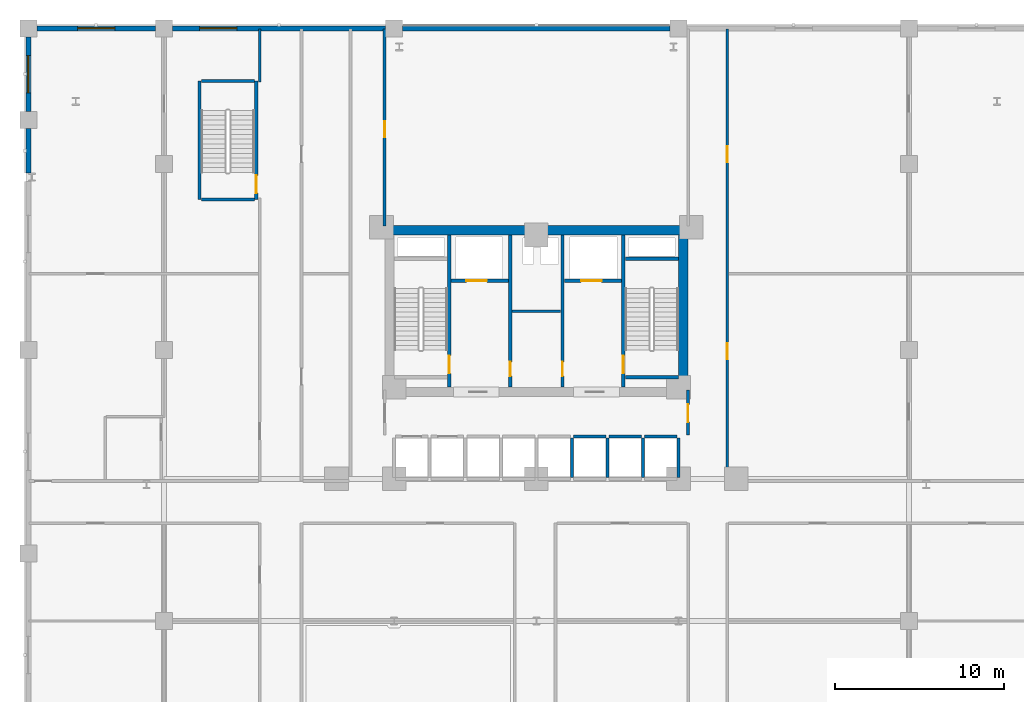
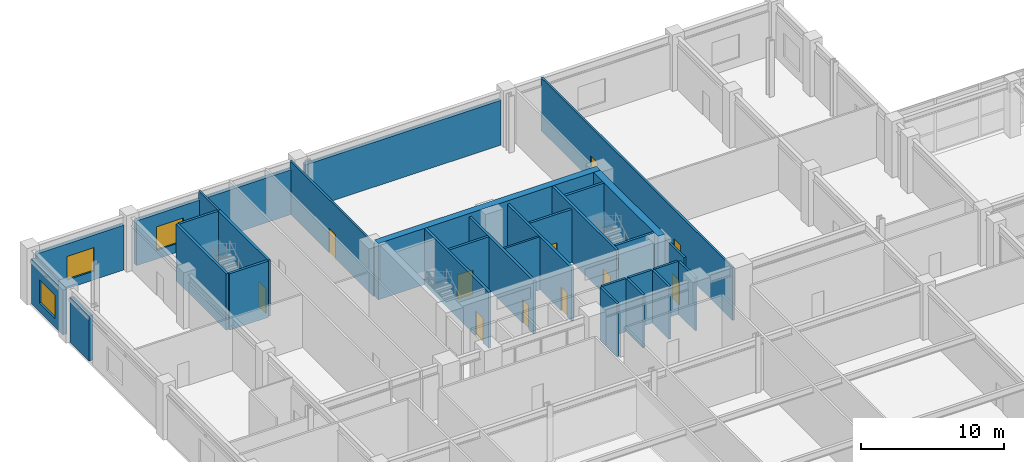
# One storey, part 34 of 48: 31 walls, 11 doors, 3 windows, 14 openings.
"""IFC4 building model written with IfcOpenShell, lengths in metres."""

import ifcopenshell
import ifcopenshell.guid

model = None  # the IFC model being written
_history = None  # IfcOwnerHistory: only IFC2X3 demands one
_inside = {}  # id of a spatial element -> (the spatial element, [elements in it])
_under = {}  # id of a project, library or spatial element -> (it, [spatial elements below it])
_declared = {}  # id of a project -> (the project, [libraries it declares])
_typed = {}  # id of a type object -> (the type object, [elements of that type])
_made_of = {}  # id of a material, layer set ... -> (it, [elements and type objects made of it])


def new_model(schema):
    """Start an empty IFC model of exactly this schema.

    Asked for "IFC4X3", IfcOpenShell would pick the latest addendum, in which some entities
    have other attributes; the version numbers below select the first issue.
    IFC2X3 requires an IfcOwnerHistory on every rooted entity: one is made here for all.
    """
    global model, _history
    if schema == "IFC4X3":
        model = ifcopenshell.file(schema_version=(4, 3, 0, 0))
    else:
        model = ifcopenshell.file(schema=schema)
    _inside.clear()
    _under.clear()
    _declared.clear()
    _typed.clear()
    _made_of.clear()
    _history = None
    if model.schema == "IFC2X3":
        org = make("IfcOrganization", Name="unknown")
        user = make(
            "IfcPersonAndOrganization",
            ThePerson=make("IfcPerson", FamilyName="unknown"),
            TheOrganization=org,
        )
        app = make(
            "IfcApplication",
            ApplicationDeveloper=org,
            Version="unknown",
            ApplicationFullName="unknown",
            ApplicationIdentifier="unknown",
        )
        _history = make(
            "IfcOwnerHistory",
            OwningUser=user,
            OwningApplication=app,
            ChangeAction="ADDED",
            CreationDate=0,
        )
    return model


def make(cls, **values):
    """One entity of the class cls with the attributes given. An attribute that is None is left unset."""
    return model.create_entity(
        cls, **{name: value for name, value in values.items() if value is not None}
    )


def rooted(cls, **values):
    """An entity with a GlobalId (a new one), such as an element, a storey or a relation."""
    return make(cls, GlobalId=ifcopenshell.guid.new(), OwnerHistory=_history, **values)


def si_unit(unit_type, name, prefix=None):
    """IfcSIUnit, for example si_unit("LENGTHUNIT", "METRE", prefix="MILLI")."""
    return make("IfcSIUnit", UnitType=unit_type, Prefix=prefix, Name=name)


def derived_unit(unit_type, elements):
    """IfcDerivedUnit: a product of units, each with its exponent."""
    return make(
        "IfcDerivedUnit",
        Elements=[
            make("IfcDerivedUnitElement", Unit=unit, Exponent=power)
            for unit, power in elements
        ],
        UnitType=unit_type,
    )


def assignment(units):
    """IfcUnitAssignment: the units of a project."""
    return None if units is None else make("IfcUnitAssignment", Units=units)


def point(xyz):
    """IfcCartesianPoint."""
    return None if xyz is None else make("IfcCartesianPoint", Coordinates=xyz)


def direction(xyz):
    """IfcDirection."""
    return None if xyz is None else make("IfcDirection", DirectionRatios=xyz)


def frame(location, z_axis=None, x_axis=None):
    """IfcAxis2Placement3D, a coordinate frame: its origin and axes. An axis left out is left unset."""
    return make(
        "IfcAxis2Placement3D",
        Location=point(location),
        Axis=direction(z_axis),
        RefDirection=direction(x_axis),
    )


def frame_2d(location, x_axis=None):
    """IfcAxis2Placement2D, a coordinate frame in the plane: its origin and x axis."""
    return make(
        "IfcAxis2Placement2D", Location=point(location), RefDirection=direction(x_axis)
    )


def origin():
    """The frame at (0, 0, 0) with its axes left unset."""
    return frame((0.0, 0.0, 0.0))


def place(relative_to, where):
    """IfcLocalPlacement: puts the frame where relative to a parent placement (None: the world)."""
    return make(
        "IfcLocalPlacement", PlacementRelTo=relative_to, RelativePlacement=where
    )


def context(
    kind, dimensions, precision=None, world=None, true_north=None, identifier=None
):
    """IfcGeometricRepresentationContext, for example the 3D "Model" context."""
    return make(
        "IfcGeometricRepresentationContext",
        ContextIdentifier=identifier,
        ContextType=kind,
        CoordinateSpaceDimension=dimensions,
        Precision=precision,
        WorldCoordinateSystem=world,
        TrueNorth=true_north,
    )


def subcontext(parent, identifier, kind, view, scale=None):
    """IfcGeometricRepresentationSubContext, for example "Body" below "Model"."""
    return make(
        "IfcGeometricRepresentationSubContext",
        ContextIdentifier=identifier,
        ContextType=kind,
        ParentContext=parent,
        TargetScale=scale,
        TargetView=view,
    )


def project(units=None, contexts=None):
    """IfcProject with its units and contexts."""
    return rooted(
        "IfcProject",
        Name="project",
        RepresentationContexts=contexts,
        UnitsInContext=assignment(units),
    )


def spatial(cls, under=None, at=None, **own):
    """A site, building, storey or space (cls), placed at a placement, below another one or the project."""
    s = rooted(cls, ObjectPlacement=at, **own)
    if under is not None:
        _under.setdefault(under.id(), (under, []))[1].append(s)
    return s


def profile(cls, at=None, kind="AREA", **sizes):
    """A parametric profile (cls). Its sizes go by their IFC names, for example OverallWidth=200.0."""
    return make(cls, ProfileType=kind, Position=at, **sizes)


def rectangle(**sizes):
    """IfcRectangleProfileDef."""
    return profile("IfcRectangleProfileDef", **sizes)


def extrude(swept, where, along, depth):
    """IfcExtrudedAreaSolid: the profile swept, set in the frame where, extruded along a direction by depth."""
    return make(
        "IfcExtrudedAreaSolid",
        SweptArea=swept,
        Position=where,
        ExtrudedDirection=direction(along),
        Depth=depth,
    )


def shape(context_of_items, identifier, shape_type, items):
    """IfcShapeRepresentation: the items that make up one representation, for example the "Body"."""
    return make(
        "IfcShapeRepresentation",
        ContextOfItems=context_of_items,
        RepresentationIdentifier=identifier,
        RepresentationType=shape_type,
        Items=items,
    )


def material(Name=None, Category=None):
    """IfcMaterial."""
    return make("IfcMaterial", Name=Name, Category=Category)


def layer(
    of_material, thickness, ventilated=None, Name=None, Category=None, Priority=None
):
    """IfcMaterialLayer: one layer of a wall or slab, of a material (None: an air gap)."""
    return make(
        "IfcMaterialLayer",
        Material=of_material,
        LayerThickness=thickness,
        IsVentilated=ventilated,
        Name=Name,
        Category=Category,
        Priority=Priority,
    )


def layer_set(layers, Name=None):
    """IfcMaterialLayerSet."""
    return make("IfcMaterialLayerSet", MaterialLayers=layers, LayerSetName=Name)


def made_of(thing, what):
    """Note that an element or type object is made of a material, layer set ...; save() writes the relation."""
    if what is not None:
        _made_of.setdefault(what.id(), (what, []))[1].append(thing)
    return thing


def type_object(cls, material=None, **own):
    """A type object (cls), such as IfcWallType, which elements share."""
    return made_of(rooted(cls, **own), material)


def element(
    cls,
    number,
    at=None,
    inside=None,
    cuts=None,
    type_object=None,
    material=None,
    context=None,
    identifier="Body",
    shape_type=None,
    held_by="IfcProductDefinitionShape",
    body=None,
    shapes=None,
    **own,
):
    """One element of the class cls, such as IfcWall. Its Tag is "e" and its number.

    at: its placement. inside: the storey or other place that contains it. cuts: it is an
    opening in that element (IfcRelVoidsElement). A single representation is given by context,
    identifier, shape_type and body (its items); several are given by shapes. held_by: the class
    of the entity that holds the representations. save() writes the other relations.
    """
    e = rooted(cls, Tag="e%d" % number, ObjectPlacement=at, **own)
    if body is not None:
        shapes = [shape(context, identifier, shape_type, body)]
    if shapes is not None:
        e.Representation = make(held_by, Representations=shapes)
    if inside is not None:
        _inside.setdefault(inside.id(), (inside, []))[1].append(e)
    if cuts is not None:
        rooted(
            "IfcRelVoidsElement", RelatingBuildingElement=cuts, RelatedOpeningElement=e
        )
    if type_object is not None:
        _typed.setdefault(type_object.id(), (type_object, []))[1].append(e)
    return made_of(e, material)


def fill(opening, filler):
    """IfcRelFillsElement: the door or window that sits in an opening."""
    return rooted(
        "IfcRelFillsElement",
        RelatingOpeningElement=opening,
        RelatedBuildingElement=filler,
    )


def aggregate(whole, parts):
    """IfcRelAggregates: a whole, such as a stair, and the parts it consists of."""
    return rooted("IfcRelAggregates", RelatingObject=whole, RelatedObjects=parts)


def save(model, path):
    """Write the relations noted so far, then the file.

    IfcRelAggregates (storeys below a building ...), IfcRelContainedInSpatialStructure (elements
    in a storey), IfcRelDefinesByType, IfcRelAssociatesMaterial and IfcRelDeclares: one each for
    every whole, place, type object, material and project.
    """
    for whole, parts in _under.values():
        aggregate(whole, parts)
    for where, things in _inside.values():
        rooted(
            "IfcRelContainedInSpatialStructure",
            RelatedElements=things,
            RelatingStructure=where,
        )
    for kind, things in _typed.values():
        rooted("IfcRelDefinesByType", RelatedObjects=things, RelatingType=kind)
    for what, things in _made_of.values():
        rooted("IfcRelAssociatesMaterial", RelatedObjects=things, RelatingMaterial=what)
    for by, libraries in _declared.values():
        rooted("IfcRelDeclares", RelatingContext=by, RelatedDefinitions=libraries)
    model.write(path)


model = new_model("IFC4")

# Units and contexts
model_context = context("Model", 3, precision=1e-05, world=origin(), true_north=direction((0.0, 1.0)))
body_context = subcontext(model_context, "Body", "Model", "MODEL_VIEW")
ifc_project = project(units=[si_unit("LENGTHUNIT", "METRE"), si_unit("AREAUNIT", "SQUARE_METRE"), si_unit("VOLUMEUNIT", "CUBIC_METRE"), si_unit("PLANEANGLEUNIT", "RADIAN"), si_unit("MASSUNIT", "GRAM", prefix="KILO"), derived_unit("THERMALTRANSMITTANCEUNIT", [(si_unit("POWERUNIT", "WATT"), 1), (si_unit("LENGTHUNIT", "METRE"), -2), (si_unit("THERMODYNAMICTEMPERATUREUNIT", "KELVIN"), -1)])], contexts=[model_context])

# Site, building, storey
site_placement = place(None, origin())
site = spatial("IfcSite", under=ifc_project, at=site_placement, CompositionType="ELEMENT")
building_placement = place(site_placement, origin())
building = spatial("IfcBuilding", under=site, at=building_placement, Name="Korsvarv Bourse and Concert Hall", CompositionType="ELEMENT")
storey_placement = place(building_placement, frame((0.0, 0.0, 4.800048828125)))
storey = spatial("IfcBuildingStorey", under=building, at=storey_placement, Name="L01", CompositionType="ELEMENT", Elevation=4.800048828125)

# Wall, opening, door
ifc_material_1 = material(Name="Concrete C50/60", Category="concrete")
ifc_layer_1 = layer(ifc_material_1, 0.3798828125)
ifc_layer_set_1 = layer_set([ifc_layer_1], Name="Concrete C50/60")
wall_type_1 = type_object("IfcWallType", Name="WL-CORE-380", PredefinedType="SHEAR", material=ifc_layer_set_1)
wall_1_placement = place(storey_placement, frame((30.860107421875, 37.81005859375, 0.0), z_axis=(0.0, 0.0, 1.0), x_axis=(0.0, 1.0, 0.0)))
wall_1 = element("IfcWall", 1, at=wall_1_placement, inside=storey, type_object=wall_type_1, Name="L01 stair shaft structural wall W-L01-ST1-E", PredefinedType="SHEAR", context=body_context, shape_type="SweptSolid", body=[
    extrude(rectangle(XDim=8.97998046875, YDim=0.199951171875, at=frame_2d((4.489990234375, 0.0))), origin(), (0.0, 0.0, 1.0), 4.800048828125),
])
opening_1_placement = place(wall_1_placement, frame((0.820068359375, 0.0, 0.0)))
opening_1 = element("IfcOpeningElement", 2, at=opening_1_placement, cuts=wall_1, Name="Opening D-01", PredefinedType="OPENING", context=body_context, shape_type="SweptSolid", body=[
    extrude(rectangle(XDim=1.050048828125, YDim=2.10009765625, at=frame_2d((0.52490234375, 1.050048828125))), frame((0.0, 0.10986328125, 0.0), z_axis=(0.0, -1.0, 0.0), x_axis=(1.0, 0.0, 0.0)), (0.0, 0.0, 1.0), 0.219970703125),
])
ifc_material_2 = material(Name="Steel S355 fire door", Category="steel")
door_type_1 = type_object("IfcDoorType", Name="DR-FD60", OperationType="NOTDEFINED", PredefinedType="DOOR", material=ifc_material_2)
door_1_placement = place(opening_1_placement, origin())
door_1 = element("IfcDoor", 3, at=door_1_placement, inside=storey, type_object=door_type_1, Name="L01 interior door DR-L01-ST1", OperationType="SINGLE_SWING_LEFT", OverallHeight=2.10009765625, OverallWidth=1.050048828125, PredefinedType="DOOR", context=body_context, shape_type="SweptSolid", body=[
    extrude(rectangle(XDim=1.050048828125, YDim=2.10009765625, at=frame_2d((0.52490234375, 1.050048828125))), frame((0.0, 0.02490234375, 0.0), z_axis=(0.0, -1.0, 0.0), x_axis=(1.0, 0.0, 0.0)), (0.0, 0.0, 1.0), 0.050048828125),
])
fill(opening_1, door_1)

wall_2_placement = place(storey_placement, frame((41.139892578125, 37.81005859375, 0.0), z_axis=(0.0, 0.0, 1.0), x_axis=(0.0, 1.0, 0.0)))
wall_2 = element("IfcWall", 4, at=wall_2_placement, inside=storey, type_object=wall_type_1, Name="L01 stair shaft structural wall W-L01-ST2-W", PredefinedType="SHEAR", context=body_context, shape_type="SweptSolid", body=[
    extrude(rectangle(XDim=8.97998046875, YDim=0.199951171875, at=frame_2d((4.489990234375, 0.0))), origin(), (0.0, 0.0, 1.0), 4.800048828125),
])
opening_2_placement = place(wall_2_placement, frame((0.820068359375, 0.0, 0.0)))
opening_2 = element("IfcOpeningElement", 5, at=opening_2_placement, cuts=wall_2, Name="Opening D-01", PredefinedType="OPENING", context=body_context, shape_type="SweptSolid", body=[
    extrude(rectangle(XDim=1.050048828125, YDim=2.10009765625, at=frame_2d((0.52490234375, 1.050048828125))), frame((0.0, 0.10986328125, 0.0), z_axis=(0.0, -1.0, 0.0), x_axis=(1.0, 0.0, 0.0)), (0.0, 0.0, 1.0), 0.219970703125),
])
door_2_placement = place(opening_2_placement, frame((1.050048828125, 0.0, 0.0), z_axis=(0.0, 0.0, 1.0), x_axis=(-1.0, 0.0, 0.0)))
door_2 = element("IfcDoor", 6, at=door_2_placement, inside=storey, type_object=door_type_1, Name="L01 interior door DR-L01-ST2", OperationType="SINGLE_SWING_RIGHT", OverallHeight=2.10009765625, OverallWidth=1.050048828125, PredefinedType="DOOR", context=body_context, shape_type="SweptSolid", body=[
    extrude(rectangle(XDim=1.050048828125, YDim=2.10009765625, at=frame_2d((0.52490234375, 1.050048828125))), frame((0.0, 0.02490234375, 0.0), z_axis=(0.0, -1.0, 0.0), x_axis=(1.0, 0.0, 0.0)), (0.0, 0.0, 1.0), 0.050048828125),
])
fill(opening_2, door_2)

# Walls
for number, where, z_axis, x_axis, name in (
    (7, (41.25, 45.39990234375, 0.0), (0.0, 0.0, 1.0), (1.0, 0.0, 0.0), "L01 stair shaft structural wall W-L01-ST2-N"),
    (8, (41.25, 38.39990234375, 0.0), (0.0, 0.0, 1.0), (1.0, 0.0, 0.0), "L01 stair shaft structural wall W-L01-ST2-S"),
):
    element("IfcWall", number, at=place(storey_placement, frame(where, z_axis=z_axis, x_axis=x_axis)), inside=storey, type_object=wall_type_1, Name=name, PredefinedType="SHEAR", context=body_context, shape_type="SweptSolid", body=[
        extrude(rectangle(XDim=3.139892578125, YDim=0.199951171875, at=frame_2d((1.56982421875, 0.0))), origin(), (0.0, 0.0, 1.0), 4.800048828125),
    ])

# Wall, opening, door
wall_3_placement = place(storey_placement, frame((19.4599609375, 48.89990234375, 0.0), z_axis=(0.0, 0.0, 1.0), x_axis=(0.0, 1.0, 0.0)))
wall_3 = element("IfcWall", 9, at=wall_3_placement, inside=storey, type_object=wall_type_1, Name="L01 stair shaft structural wall W-L01-STPD-E", PredefinedType="SHEAR", context=body_context, shape_type="SweptSolid", body=[
    extrude(rectangle(XDim=7.0, YDim=0.199951171875, at=frame_2d((3.5, 0.0))), origin(), (0.0, 0.0, 1.0), 4.800048828125),
])
opening_3_placement = place(wall_3_placement, frame((0.3798828125, 0.0, 0.0)))
opening_3 = element("IfcOpeningElement", 10, at=opening_3_placement, cuts=wall_3, Name="Opening D-01", PredefinedType="OPENING", context=body_context, shape_type="SweptSolid", body=[
    extrude(rectangle(XDim=1.050048828125, YDim=2.10009765625, at=frame_2d((0.52490234375, 1.050048828125))), frame((0.0, 0.10986328125, 0.0), z_axis=(0.0, -1.0, 0.0), x_axis=(1.0, 0.0, 0.0)), (0.0, 0.0, 1.0), 0.219970703125),
])
door_3_placement = place(opening_3_placement, origin())
door_3 = element("IfcDoor", 11, at=door_3_placement, inside=storey, type_object=door_type_1, Name="L01 interior door DR-L01-STPD1", OperationType="SINGLE_SWING_RIGHT", OverallHeight=2.10009765625, OverallWidth=1.050048828125, PredefinedType="DOOR", context=body_context, shape_type="SweptSolid", body=[
    extrude(rectangle(XDim=1.050048828125, YDim=2.10009765625, at=frame_2d((0.52490234375, 1.050048828125))), frame((0.0, 0.02490234375, 0.0), z_axis=(0.0, -1.0, 0.0), x_axis=(1.0, 0.0, 0.0)), (0.0, 0.0, 1.0), 0.050048828125),
])
fill(opening_3, door_3)

# Walls
wall_4_placement = place(storey_placement, frame((16.10009765625, 48.89990234375, 0.0), z_axis=(0.0, 0.0, 1.0), x_axis=(0.0, 1.0, 0.0)))
element("IfcWall", 12, at=wall_4_placement, inside=storey, type_object=wall_type_1, Name="L01 stair shaft structural wall W-L01-STPD-W", PredefinedType="SHEAR", context=body_context, shape_type="SweptSolid", body=[
    extrude(rectangle(XDim=7.0, YDim=0.199951171875, at=frame_2d((3.5, 0.0))), origin(), (0.0, 0.0, 1.0), 4.800048828125),
])
for number, where, z_axis, x_axis, name in (
    (13, (16.2099609375, 55.89990234375, 0.0), (0.0, 0.0, 1.0), (1.0, 0.0, 0.0), "L01 stair shaft structural wall W-L01-STPD-N"),
    (14, (16.2099609375, 48.89990234375, 0.0), (0.0, 0.0, 1.0), (1.0, 0.0, 0.0), "L01 stair shaft structural wall W-L01-STPD-S"),
):
    element("IfcWall", number, at=place(storey_placement, frame(where, z_axis=z_axis, x_axis=x_axis)), inside=storey, type_object=wall_type_1, Name=name, PredefinedType="SHEAR", context=body_context, shape_type="SweptSolid", body=[
        extrude(rectangle(XDim=3.14013671875, YDim=0.199951171875, at=frame_2d((1.570068359375, 0.0))), origin(), (0.0, 0.0, 1.0), 4.800048828125),
    ])
ifc_material_3 = material(Name="Concrete C60/75", Category="concrete")
ifc_layer_2 = layer(ifc_material_3, 0.550048828125)
ifc_layer_set_2 = layer_set([ifc_layer_2], Name="Concrete C60/75")
wall_type_2 = type_object("IfcWallType", Name="WL-CORE-550", PredefinedType="SHEAR", material=ifc_layer_set_2)
wall_5_placement = place(storey_placement, frame((27.050048828125, 47.074951171875, 0.0), z_axis=(0.0, 0.0, 1.0), x_axis=(1.0, 0.0, 0.0)))
element("IfcWall", 15, at=wall_5_placement, inside=storey, type_object=wall_type_2, Name="L01 North Core Shear Wall", PredefinedType="SHEAR", context=body_context, shape_type="SweptSolid", body=[
    extrude(rectangle(XDim=17.89990234375, YDim=0.550048828125, at=frame_2d((8.949951171875, 0.0))), origin(), (0.0, 0.0, 1.0), 4.800048828125),
])
wall_6_placement = place(storey_placement, frame((44.675048828125, 37.800048828125, 0.0), z_axis=(0.0, 0.0, 1.0), x_axis=(0.0, 1.0, 0.0)))
element("IfcWall", 16, at=wall_6_placement, inside=storey, type_object=wall_type_2, Name="L01 East Core Shear Wall", PredefinedType="SHEAR", context=body_context, shape_type="SweptSolid", body=[
    extrude(rectangle(XDim=9.0, YDim=0.550048828125, at=frame_2d((4.5, 0.0))), origin(), (0.0, 0.0, 1.0), 4.800048828125),
])

# Wall, opening, window
ifc_material_4 = material(Name="Precast concrete C45/55 with granite and terracotta", Category="concrete")
ifc_layer_3 = layer(ifc_material_4, 0.320068359375)
ifc_layer_set_3 = layer_set([ifc_layer_3], Name="Precast concrete C45/55 with granite and terracotta")
wall_type_3 = type_object("IfcWallType", Name="WL-EXT-POD", PredefinedType="SOLIDWALL", material=ifc_layer_set_3)
wall_7_placement = place(storey_placement, frame((6.5048828125, 59.0, 0.0), z_axis=(0.0, 0.0, 1.0), x_axis=(1.0, 0.0, 0.0)))
wall_7 = element("IfcWall", 17, at=wall_7_placement, inside=storey, type_object=wall_type_3, Name="L01 terracotta exterior wall EW-L01-N1", PredefinedType="SOLIDWALL", context=body_context, shape_type="SweptSolid", body=[
    extrude(rectangle(XDim=6.990234375, YDim=0.320068359375, at=frame_2d((3.4951171875, 0.0))), origin(), (0.0, 0.0, 1.0), 3.820068359375),
])
opening_4_placement = place(wall_7_placement, frame((2.39501953125, 0.0, 0.75)))
opening_4 = element("IfcOpeningElement", 18, at=opening_4_placement, cuts=wall_7, Name="Opening W-03", PredefinedType="OPENING", context=body_context, shape_type="SweptSolid", body=[
    extrude(rectangle(XDim=2.199951171875, YDim=2.0, at=frame_2d((1.10009765625, 1.0))), frame((0.0, 0.169921875, 0.0), z_axis=(0.0, -1.0, 0.0), x_axis=(1.0, 0.0, 0.0)), (0.0, 0.0, 1.0), 0.340087890625),
])
ifc_material_5 = material(Name="Thermally broken aluminium frame with triple low-E glass", Category="glass")
window_type = type_object("IfcWindowType", Name="WIN-POD1", PartitioningType="SINGLE_PANEL", PredefinedType="WINDOW", material=ifc_material_5)
window_1_placement = place(opening_4_placement, origin())
window_1 = element("IfcWindow", 19, at=window_1_placement, inside=storey, type_object=window_type, Name="L01 punched facade window W-03", OverallHeight=2.0, OverallWidth=2.199951171875, PartitioningType="SINGLE_PANEL", PredefinedType="WINDOW", context=body_context, shape_type="SweptSolid", body=[
    extrude(rectangle(XDim=2.199951171875, YDim=2.0, at=frame_2d((1.10009765625, 1.0))), frame((0.0, 0.030029296875, 0.0), z_axis=(0.0, -1.0, 0.0), x_axis=(1.0, 0.0, 0.0)), (0.0, 0.0, 1.0), 0.06005859375),
])
fill(opening_4, window_1)

wall_8_placement = place(storey_placement, frame((14.5048828125, 59.0, 0.0), z_axis=(0.0, 0.0, 1.0), x_axis=(1.0, 0.0, 0.0)))
wall_8 = element("IfcWall", 20, at=wall_8_placement, inside=storey, type_object=wall_type_3, Name="L01 terracotta exterior wall EW-L01-N2", PredefinedType="SOLIDWALL", context=body_context, shape_type="SweptSolid", body=[
    extrude(rectangle(XDim=12.590087890625, YDim=0.320068359375, at=frame_2d((6.294921875, 0.0))), origin(), (0.0, 0.0, 1.0), 3.820068359375),
])
opening_5_placement = place(wall_8_placement, frame((1.5986328125, 0.0, 0.75)))
opening_5 = element("IfcOpeningElement", 21, at=opening_5_placement, cuts=wall_8, Name="Opening W-03", PredefinedType="OPENING", context=body_context, shape_type="SweptSolid", body=[
    extrude(rectangle(XDim=2.199951171875, YDim=2.0, at=frame_2d((1.10009765625, 1.0))), frame((0.0, 0.169921875, 0.0), z_axis=(0.0, -1.0, 0.0), x_axis=(1.0, 0.0, 0.0)), (0.0, 0.0, 1.0), 0.340087890625),
])
window_2_placement = place(opening_5_placement, origin())
window_2 = element("IfcWindow", 22, at=window_2_placement, inside=storey, type_object=window_type, Name="L01 punched facade window W-03", OverallHeight=2.0, OverallWidth=2.199951171875, PartitioningType="SINGLE_PANEL", PredefinedType="WINDOW", context=body_context, shape_type="SweptSolid", body=[
    extrude(rectangle(XDim=2.199951171875, YDim=2.0, at=frame_2d((1.10009765625, 1.0))), frame((0.0, 0.030029296875, 0.0), z_axis=(0.0, -1.0, 0.0), x_axis=(1.0, 0.0, 0.0)), (0.0, 0.0, 1.0), 0.06005859375),
])
fill(opening_5, window_2)

# Walls
wall_9_placement = place(storey_placement, frame((28.10498046875, 59.0, 0.0), z_axis=(0.0, 0.0, 1.0), x_axis=(1.0, 0.0, 0.0)))
element("IfcWall", 23, at=wall_9_placement, inside=storey, type_object=wall_type_3, Name="L01 terracotta exterior wall EW-L01-N3", PredefinedType="SOLIDWALL", context=body_context, shape_type="SweptSolid", body=[
    extrude(rectangle(XDim=15.7900390625, YDim=0.320068359375, at=frame_2d((7.89501953125, 0.0))), origin(), (0.0, 0.0, 1.0), 3.820068359375),
])
wall_10_placement = place(storey_placement, frame((6.0, 50.459228515625, 0.0), z_axis=(0.0, 0.0, 1.0), x_axis=(0.0, 1.0, 0.0)))
element("IfcWall", 24, at=wall_10_placement, inside=storey, type_object=wall_type_3, Name="L01 terracotta exterior wall EW-L01-W4-2", PredefinedType="SOLIDWALL", context=body_context, shape_type="SweptSolid", body=[
    extrude(rectangle(XDim=2.6357421875, YDim=0.320068359375, at=frame_2d((1.31787109375, 0.0))), origin(), (0.0, 0.0, 1.0), 3.820068359375),
])

# Wall, opening, window
wall_11_placement = place(storey_placement, frame((6.0, 54.10498046875, 0.0), z_axis=(0.0, 0.0, 1.0), x_axis=(0.0, 1.0, 0.0)))
wall_11 = element("IfcWall", 25, at=wall_11_placement, inside=storey, type_object=wall_type_3, Name="L01 terracotta exterior wall EW-L01-W5", PredefinedType="SOLIDWALL", context=body_context, shape_type="SweptSolid", body=[
    extrude(rectangle(XDim=4.39013671875, YDim=0.320068359375, at=frame_2d((2.195068359375, 0.0))), origin(), (0.0, 0.0, 1.0), 3.820068359375),
])
opening_6_placement = place(wall_11_placement, frame((1.094970703125, 0.0, 0.75)))
opening_6 = element("IfcOpeningElement", 26, at=opening_6_placement, cuts=wall_11, Name="Opening W-03", PredefinedType="OPENING", context=body_context, shape_type="SweptSolid", body=[
    extrude(rectangle(XDim=2.199951171875, YDim=2.0, at=frame_2d((1.10009765625, 1.0))), frame((0.0, 0.169921875, 0.0), z_axis=(0.0, -1.0, 0.0), x_axis=(1.0, 0.0, 0.0)), (0.0, 0.0, 1.0), 0.340087890625),
])
window_3_placement = place(opening_6_placement, origin())
window_3 = element("IfcWindow", 27, at=window_3_placement, inside=storey, type_object=window_type, Name="L01 punched facade window W-03", OverallHeight=2.0, OverallWidth=2.199951171875, PartitioningType="SINGLE_PANEL", PredefinedType="WINDOW", context=body_context, shape_type="SweptSolid", body=[
    extrude(rectangle(XDim=2.199951171875, YDim=2.0, at=frame_2d((1.10009765625, 1.0))), frame((0.0, 0.030029296875, 0.0), z_axis=(0.0, -1.0, 0.0), x_axis=(1.0, 0.0, 0.0)), (0.0, 0.0, 1.0), 0.06005859375),
])
fill(opening_6, window_3)

# Wall, opening, door
ifc_material_6 = material(Name="Reinforced concrete blockwork C35/45 fire wall", Category="concrete")
ifc_layer_4 = layer(ifc_material_6, 0.199951171875)
ifc_layer_set_4 = layer_set([ifc_layer_4], Name="Reinforced concrete blockwork C35/45 fire wall")
wall_type_4 = type_object("IfcWallType", Name="WL-INT-EI120", PredefinedType="PARTITIONING", material=ifc_layer_set_4)
wall_12_placement = place(storey_placement, frame((30.969970703125, 44.10009765625, 0.0), z_axis=(0.0, 0.0, 1.0), x_axis=(1.0, 0.0, 0.0)))
wall_12 = element("IfcWall", 28, at=wall_12_placement, inside=storey, type_object=wall_type_4, Name="L01 interior partition wall W-L01-FF1-S", PredefinedType="PARTITIONING", context=body_context, shape_type="SweptSolid", body=[
    extrude(rectangle(XDim=3.380126953125, YDim=0.199951171875, at=frame_2d((1.68994140625, 0.0))), origin(), (0.0, 0.0, 1.0), 4.52001953125),
])
opening_7_placement = place(wall_12_placement, frame((0.89990234375, 0.0, 0.0)))
opening_7 = element("IfcOpeningElement", 29, at=opening_7_placement, cuts=wall_12, Name="Opening LD-1", PredefinedType="OPENING", context=body_context, shape_type="SweptSolid", body=[
    extrude(rectangle(XDim=1.199951171875, YDim=2.10009765625, at=frame_2d((0.60009765625, 1.050048828125))), frame((0.0, 0.10986328125, 0.0), z_axis=(0.0, -1.0, 0.0), x_axis=(1.0, 0.0, 0.0)), (0.0, 0.0, 1.0), 0.219970703125),
])
ifc_material_7 = material(Name="Stainless Steel S355 firefighting lift landing door", Category="steel")
door_type_2 = type_object("IfcDoorType", Name="DR-LIFT-FF", OperationType="DOUBLE_DOOR_SLIDING", PredefinedType="DOOR", material=ifc_material_7)
door_4_placement = place(opening_7_placement, origin())
door_4 = element("IfcDoor", 30, at=door_4_placement, inside=storey, type_object=door_type_2, Name="L01 lift sliding landing door LD-L01-FF1", OperationType="DOUBLE_DOOR_SLIDING", OverallHeight=2.10009765625, OverallWidth=1.199951171875, PredefinedType="DOOR", context=body_context, shape_type="SweptSolid", body=[
    extrude(rectangle(XDim=1.199951171875, YDim=2.10009765625, at=frame_2d((0.60009765625, 1.050048828125))), frame((0.0, 0.02490234375, 0.0), z_axis=(0.0, -1.0, 0.0), x_axis=(1.0, 0.0, 0.0)), (0.0, 0.0, 1.0), 0.050048828125),
])
fill(opening_7, door_4)

wall_13_placement = place(storey_placement, frame((37.64990234375, 44.10009765625, 0.0), z_axis=(0.0, 0.0, 1.0), x_axis=(1.0, 0.0, 0.0)))
wall_13 = element("IfcWall", 31, at=wall_13_placement, inside=storey, type_object=wall_type_4, Name="L01 interior partition wall W-L01-FF2-S", PredefinedType="PARTITIONING", context=body_context, shape_type="SweptSolid", body=[
    extrude(rectangle(XDim=3.380126953125, YDim=0.199951171875, at=frame_2d((1.68994140625, 0.0))), origin(), (0.0, 0.0, 1.0), 4.52001953125),
])
opening_8_placement = place(wall_13_placement, frame((1.0, 0.0, 0.0)))
opening_8 = element("IfcOpeningElement", 32, at=opening_8_placement, cuts=wall_13, Name="Opening LD-1", PredefinedType="OPENING", context=body_context, shape_type="SweptSolid", body=[
    extrude(rectangle(XDim=1.199951171875, YDim=2.10009765625, at=frame_2d((0.60009765625, 1.050048828125))), frame((0.0, 0.10986328125, 0.0), z_axis=(0.0, -1.0, 0.0), x_axis=(1.0, 0.0, 0.0)), (0.0, 0.0, 1.0), 0.219970703125),
])
door_5_placement = place(opening_8_placement, origin())
door_5 = element("IfcDoor", 33, at=door_5_placement, inside=storey, type_object=door_type_2, Name="L01 lift sliding landing door LD-L01-FF2", OperationType="DOUBLE_DOOR_SLIDING", OverallHeight=2.10009765625, OverallWidth=1.199951171875, PredefinedType="DOOR", context=body_context, shape_type="SweptSolid", body=[
    extrude(rectangle(XDim=1.199951171875, YDim=2.10009765625, at=frame_2d((0.60009765625, 1.050048828125))), frame((0.0, 0.02490234375, 0.0), z_axis=(0.0, -1.0, 0.0), x_axis=(1.0, 0.0, 0.0)), (0.0, 0.0, 1.0), 0.050048828125),
])
fill(opening_8, door_5)

wall_14_placement = place(storey_placement, frame((34.4599609375, 37.81005859375, 0.0), z_axis=(0.0, 0.0, 1.0), x_axis=(0.0, 1.0, 0.0)))
wall_14 = element("IfcWall", 34, at=wall_14_placement, inside=storey, type_object=wall_type_4, Name="L01 interior partition wall W-L01-CSB-W", PredefinedType="PARTITIONING", context=body_context, shape_type="SweptSolid", body=[
    extrude(rectangle(XDim=8.97998046875, YDim=0.199951171875, at=frame_2d((4.489990234375, 0.0))), origin(), (0.0, 0.0, 1.0), 4.52001953125),
])
opening_9_placement = place(wall_14_placement, frame((0.64990234375, 0.0, 0.0)))
opening_9 = element("IfcOpeningElement", 35, at=opening_9_placement, cuts=wall_14, Name="Opening D-05", PredefinedType="OPENING", context=body_context, shape_type="SweptSolid", body=[
    extrude(rectangle(XDim=0.85009765625, YDim=2.050048828125, at=frame_2d((0.425048828125, 1.02490234375))), frame((0.0, 0.10986328125, 0.0), z_axis=(0.0, -1.0, 0.0), x_axis=(1.0, 0.0, 0.0)), (0.0, 0.0, 1.0), 0.219970703125),
])
door_type_3 = type_object("IfcDoorType", Name="DR-FD60-850X2050", OperationType="NOTDEFINED", PredefinedType="DOOR", material=ifc_material_2)
door_6_placement = place(opening_9_placement, frame((0.85009765625, 0.0, 0.0), z_axis=(0.0, 0.0, 1.0), x_axis=(-1.0, 0.0, 0.0)))
door_6 = element("IfcDoor", 36, at=door_6_placement, inside=storey, type_object=door_type_3, Name="L01 interior door DR-L01-CSB1", OperationType="SINGLE_SWING_LEFT", OverallHeight=2.050048828125, OverallWidth=0.85009765625, PredefinedType="DOOR", context=body_context, shape_type="SweptSolid", body=[
    extrude(rectangle(XDim=0.85009765625, YDim=2.050048828125, at=frame_2d((0.425048828125, 1.02490234375))), frame((0.0, 0.02490234375, 0.0), z_axis=(0.0, -1.0, 0.0), x_axis=(1.0, 0.0, 0.0)), (0.0, 0.0, 1.0), 0.050048828125),
])
fill(opening_9, door_6)

wall_15_placement = place(storey_placement, frame((37.5400390625, 37.81005859375, 0.0), z_axis=(0.0, 0.0, 1.0), x_axis=(0.0, 1.0, 0.0)))
wall_15 = element("IfcWall", 37, at=wall_15_placement, inside=storey, type_object=wall_type_4, Name="L01 interior partition wall W-L01-CSB-E", PredefinedType="PARTITIONING", context=body_context, shape_type="SweptSolid", body=[
    extrude(rectangle(XDim=8.97998046875, YDim=0.199951171875, at=frame_2d((4.489990234375, 0.0))), origin(), (0.0, 0.0, 1.0), 4.52001953125),
])
opening_10_placement = place(wall_15_placement, frame((0.64990234375, 0.0, 0.0)))
opening_10 = element("IfcOpeningElement", 38, at=opening_10_placement, cuts=wall_15, Name="Opening D-05", PredefinedType="OPENING", context=body_context, shape_type="SweptSolid", body=[
    extrude(rectangle(XDim=0.85009765625, YDim=2.050048828125, at=frame_2d((0.425048828125, 1.02490234375))), frame((0.0, 0.10986328125, 0.0), z_axis=(0.0, -1.0, 0.0), x_axis=(1.0, 0.0, 0.0)), (0.0, 0.0, 1.0), 0.219970703125),
])
door_7_placement = place(opening_10_placement, origin())
door_7 = element("IfcDoor", 39, at=door_7_placement, inside=storey, type_object=door_type_3, Name="L01 interior door DR-L01-CSB2", OperationType="SINGLE_SWING_RIGHT", OverallHeight=2.050048828125, OverallWidth=0.85009765625, PredefinedType="DOOR", context=body_context, shape_type="SweptSolid", body=[
    extrude(rectangle(XDim=0.85009765625, YDim=2.050048828125, at=frame_2d((0.425048828125, 1.02490234375))), frame((0.0, 0.02490234375, 0.0), z_axis=(0.0, -1.0, 0.0), x_axis=(1.0, 0.0, 0.0)), (0.0, 0.0, 1.0), 0.050048828125),
])
fill(opening_10, door_7)

# Wall
ifc_material_8 = material(Name="Double-stud fire-rated acoustic partition", Category="gypsum")
ifc_layer_5 = layer(ifc_material_8, 0.159912109375)
ifc_layer_set_5 = layer_set([ifc_layer_5], Name="Double-stud fire-rated acoustic partition")
wall_type_5 = type_object("IfcWallType", Name="WL-INT-EI60", PredefinedType="PARTITIONING", material=ifc_layer_set_5)
wall_16_placement = place(storey_placement, frame((34.570068359375, 42.300048828125, 0.0), z_axis=(0.0, 0.0, 1.0), x_axis=(1.0, 0.0, 0.0)))
element("IfcWall", 40, at=wall_16_placement, inside=storey, type_object=wall_type_5, Name="L01 interior partition wall W-L01-K1", PredefinedType="PARTITIONING", context=body_context, shape_type="SweptSolid", body=[
    extrude(rectangle(XDim=2.85986328125, YDim=0.159912109375, at=frame_2d((1.429931640625, 0.0))), origin(), (0.0, 0.0, 1.0), 4.52001953125),
])

# Wall, opening, door
wall_17_placement = place(storey_placement, frame((44.9599609375, 35.0, 0.0), z_axis=(0.0, 0.0, 1.0), x_axis=(0.0, 1.0, 0.0)))
wall_17 = element("IfcWall", 41, at=wall_17_placement, inside=storey, type_object=wall_type_5, Name="L01 interior partition wall W-L01-LOB-E", PredefinedType="PARTITIONING", context=body_context, shape_type="SweptSolid", body=[
    extrude(rectangle(XDim=2.64990234375, YDim=0.159912109375, at=frame_2d((1.324951171875, 0.0))), origin(), (0.0, 0.0, 1.0), 4.52001953125),
])
opening_11_placement = place(wall_17_placement, frame((0.75, 0.0, 0.0)))
opening_11 = element("IfcOpeningElement", 42, at=opening_11_placement, cuts=wall_17, Name="Opening D-01", PredefinedType="OPENING", context=body_context, shape_type="SweptSolid", body=[
    extrude(rectangle(XDim=1.050048828125, YDim=2.10009765625, at=frame_2d((0.52490234375, 1.050048828125))), frame((0.0, 0.08984375, 0.0), z_axis=(0.0, -1.0, 0.0), x_axis=(1.0, 0.0, 0.0)), (0.0, 0.0, 1.0), 0.179931640625),
])
door_8_placement = place(opening_11_placement, origin())
door_8 = element("IfcDoor", 43, at=door_8_placement, inside=storey, type_object=door_type_1, Name="L01 interior door DR-L01-LOBE", OperationType="SINGLE_SWING_RIGHT", OverallHeight=2.10009765625, OverallWidth=1.050048828125, PredefinedType="DOOR", context=body_context, shape_type="SweptSolid", body=[
    extrude(rectangle(XDim=1.050048828125, YDim=2.10009765625, at=frame_2d((0.52490234375, 1.050048828125))), frame((0.0, 0.02490234375, 0.0), z_axis=(0.0, -1.0, 0.0), x_axis=(1.0, 0.0, 0.0)), (0.0, 0.0, 1.0), 0.050048828125),
])
fill(opening_11, door_8)

# Wall, openings, doors
wall_18_placement = place(storey_placement, frame((47.27490234375, 32.27001953125, 0.0), z_axis=(0.0, 0.0, 1.0), x_axis=(0.0, 1.0, 0.0)))
wall_18 = element("IfcWall", 44, at=wall_18_placement, inside=storey, type_object=wall_type_5, Name="L01 interior partition wall W-L01-PCOR-07", PredefinedType="PARTITIONING", context=body_context, shape_type="SweptSolid", body=[
    extrude(rectangle(XDim=26.7099609375, YDim=0.159912109375, at=frame_2d((13.35498046875, 0.0))), origin(), (0.0, 0.0, 1.0), 4.52001953125),
])
opening_12_placement = place(wall_18_placement, frame((7.199951171875, 0.0, 0.0)))
opening_12 = element("IfcOpeningElement", 45, at=opening_12_placement, cuts=wall_18, Name="Opening D-02", PredefinedType="OPENING", context=body_context, shape_type="SweptSolid", body=[
    extrude(rectangle(XDim=0.949951171875, YDim=2.050048828125, at=frame_2d((0.47509765625, 1.02490234375))), frame((0.0, 0.08984375, 0.0), z_axis=(0.0, -1.0, 0.0), x_axis=(1.0, 0.0, 0.0)), (0.0, 0.0, 1.0), 0.179931640625),
])
opening_13_placement = place(wall_18_placement, frame((18.83349609375, 0.0, 0.0)))
opening_13 = element("IfcOpeningElement", 46, at=opening_13_placement, cuts=wall_18, Name="Opening D-02", PredefinedType="OPENING", context=body_context, shape_type="SweptSolid", body=[
    extrude(rectangle(XDim=0.949951171875, YDim=2.050048828125, at=frame_2d((0.47509765625, 1.02490234375))), frame((0.0, 0.08984375, 0.0), z_axis=(0.0, -1.0, 0.0), x_axis=(1.0, 0.0, 0.0)), (0.0, 0.0, 1.0), 0.179931640625),
])
ifc_material_9 = material(Name="Timber and steel acoustic fire door", Category="wood")
door_type_4 = type_object("IfcDoorType", Name="DR-FD30", OperationType="NOTDEFINED", PredefinedType="DOOR", material=ifc_material_9)
door_9_placement = place(opening_12_placement, origin())
door_9 = element("IfcDoor", 47, at=door_9_placement, inside=storey, type_object=door_type_4, Name="L01 interior door DR-L01-PCOR-RM55", OperationType="SINGLE_SWING_RIGHT", OverallHeight=2.050048828125, OverallWidth=0.949951171875, PredefinedType="DOOR", context=body_context, shape_type="SweptSolid", body=[
    extrude(rectangle(XDim=0.949951171875, YDim=2.050048828125, at=frame_2d((0.47509765625, 1.02490234375))), frame((0.0, 0.02490234375, 0.0), z_axis=(0.0, -1.0, 0.0), x_axis=(1.0, 0.0, 0.0)), (0.0, 0.0, 1.0), 0.050048828125),
])
fill(opening_12, door_9)
door_10_placement = place(opening_13_placement, origin())
door_10 = element("IfcDoor", 48, at=door_10_placement, inside=storey, type_object=door_type_4, Name="L01 interior door DR-L01-PCOR-RM66", OperationType="SINGLE_SWING_LEFT", OverallHeight=2.050048828125, OverallWidth=0.949951171875, PredefinedType="DOOR", context=body_context, shape_type="SweptSolid", body=[
    extrude(rectangle(XDim=0.949951171875, YDim=2.050048828125, at=frame_2d((0.47509765625, 1.02490234375))), frame((0.0, 0.02490234375, 0.0), z_axis=(0.0, -1.0, 0.0), x_axis=(1.0, 0.0, 0.0)), (0.0, 0.0, 1.0), 0.050048828125),
])
fill(opening_13, door_10)

# Wall, opening, door
wall_19_placement = place(storey_placement, frame((27.034912109375, 47.340087890625, 0.0), z_axis=(0.0, 0.0, 1.0), x_axis=(0.0, 1.0, 0.0)))
wall_19 = element("IfcWall", 49, at=wall_19_placement, inside=storey, type_object=wall_type_5, Name="L01 interior partition wall W-L01-PCOR-16", PredefinedType="PARTITIONING", context=body_context, shape_type="SweptSolid", body=[
    extrude(rectangle(XDim=11.639892578125, YDim=0.159912109375, at=frame_2d((5.81982421875, 0.0))), origin(), (0.0, 0.0, 1.0), 4.52001953125),
])
opening_14_placement = place(wall_19_placement, frame((5.238037109375, 0.0, 0.0)))
opening_14 = element("IfcOpeningElement", 50, at=opening_14_placement, cuts=wall_19, Name="Opening D-02", PredefinedType="OPENING", context=body_context, shape_type="SweptSolid", body=[
    extrude(rectangle(XDim=0.949951171875, YDim=2.050048828125, at=frame_2d((0.47509765625, 1.02490234375))), frame((0.0, 0.08984375, 0.0), z_axis=(0.0, -1.0, 0.0), x_axis=(1.0, 0.0, 0.0)), (0.0, 0.0, 1.0), 0.179931640625),
])
door_11_placement = place(opening_14_placement, origin())
door_11 = element("IfcDoor", 51, at=door_11_placement, inside=storey, type_object=door_type_4, Name="L01 interior door DR-L01-PCOR-NWRK11", OperationType="SINGLE_SWING_RIGHT", OverallHeight=2.050048828125, OverallWidth=0.949951171875, PredefinedType="DOOR", context=body_context, shape_type="SweptSolid", body=[
    extrude(rectangle(XDim=0.949951171875, YDim=2.050048828125, at=frame_2d((0.47509765625, 1.02490234375))), frame((0.0, 0.02490234375, 0.0), z_axis=(0.0, -1.0, 0.0), x_axis=(1.0, 0.0, 0.0)), (0.0, 0.0, 1.0), 0.050048828125),
])
fill(opening_14, door_11)

# Walls
wall_20_placement = place(storey_placement, frame((19.6650390625, 55.840087890625, 0.0), z_axis=(0.0, 0.0, 1.0), x_axis=(0.0, 1.0, 0.0)))
element("IfcWall", 52, at=wall_20_placement, inside=storey, type_object=wall_type_5, Name="L01 interior partition wall W-L01-PCOR-20", PredefinedType="PARTITIONING", context=body_context, shape_type="SweptSolid", body=[
    extrude(rectangle(XDim=3.139892578125, YDim=0.159912109375, at=frame_2d((1.56982421875, 0.0))), origin(), (0.0, 0.0, 1.0), 4.52001953125),
])
ifc_material_10 = material(Name="Gypsum-clad autoclaved concrete shaft wall C30/37", Category="concrete")
ifc_layer_6 = layer(ifc_material_10, 0.179931640625)
ifc_layer_set_6 = layer_set([ifc_layer_6], Name="Gypsum-clad autoclaved concrete shaft wall C30/37")
wall_type_6 = type_object("IfcWallType", Name="WL-INT-EI90", PredefinedType="PARTITIONING", material=ifc_layer_set_6)
wall_21_placement = place(storey_placement, frame((38.18994140625, 34.89990234375, 0.0), z_axis=(0.0, 0.0, 1.0), x_axis=(1.0, 0.0, 0.0)))
element("IfcWall", 53, at=wall_21_placement, inside=storey, type_object=wall_type_6, Name="L01 interior partition wall W-L01-SHFN-PH2", PredefinedType="PARTITIONING", context=body_context, shape_type="SweptSolid", body=[
    extrude(rectangle(XDim=1.920166015625, YDim=0.179931640625, at=frame_2d((0.9599609375, 0.0))), origin(), (0.0, 0.0, 1.0), 4.52001953125),
])
wall_22_placement = place(storey_placement, frame((38.10009765625, 32.489990234375, 0.0), z_axis=(0.0, 0.0, 1.0), x_axis=(0.0, 1.0, 0.0)))
element("IfcWall", 54, at=wall_22_placement, inside=storey, type_object=wall_type_6, Name="L01 interior partition wall W-L01-SHFW-PH2", PredefinedType="PARTITIONING", context=body_context, shape_type="SweptSolid", body=[
    extrude(rectangle(XDim=2.320068359375, YDim=0.179931640625, at=frame_2d((1.16015625, 0.0))), origin(), (0.0, 0.0, 1.0), 4.52001953125),
])
wall_23_placement = place(storey_placement, frame((40.2900390625, 34.89990234375, 0.0), z_axis=(0.0, 0.0, 1.0), x_axis=(1.0, 0.0, 0.0)))
element("IfcWall", 55, at=wall_23_placement, inside=storey, type_object=wall_type_6, Name="L01 interior partition wall W-L01-SHFN-PO1", PredefinedType="PARTITIONING", context=body_context, shape_type="SweptSolid", body=[
    extrude(rectangle(XDim=1.919921875, YDim=0.179931640625, at=frame_2d((0.9599609375, 0.0))), origin(), (0.0, 0.0, 1.0), 4.52001953125),
])
wall_24_placement = place(storey_placement, frame((40.199951171875, 32.489990234375, 0.0), z_axis=(0.0, 0.0, 1.0), x_axis=(0.0, 1.0, 0.0)))
element("IfcWall", 56, at=wall_24_placement, inside=storey, type_object=wall_type_6, Name="L01 interior partition wall W-L01-SHFW-PO1", PredefinedType="PARTITIONING", context=body_context, shape_type="SweptSolid", body=[
    extrude(rectangle(XDim=2.320068359375, YDim=0.179931640625, at=frame_2d((1.16015625, 0.0))), origin(), (0.0, 0.0, 1.0), 4.52001953125),
])
wall_25_placement = place(storey_placement, frame((42.389892578125, 34.89990234375, 0.0), z_axis=(0.0, 0.0, 1.0), x_axis=(1.0, 0.0, 0.0)))
element("IfcWall", 57, at=wall_25_placement, inside=storey, type_object=wall_type_6, Name="L01 interior partition wall W-L01-SHFN-PO2", PredefinedType="PARTITIONING", context=body_context, shape_type="SweptSolid", body=[
    extrude(rectangle(XDim=1.920166015625, YDim=0.179931640625, at=frame_2d((0.9599609375, 0.0))), origin(), (0.0, 0.0, 1.0), 4.52001953125),
])
for number, where, z_axis, x_axis, name in (
    (58, (42.300048828125, 32.489990234375, 0.0), (0.0, 0.0, 1.0), (0.0, 1.0, 0.0), "L01 interior partition wall W-L01-SHFW-PO2"),
    (59, (44.39990234375, 32.489990234375, 0.0), (0.0, 0.0, 1.0), (0.0, 1.0, 0.0), "L01 interior partition wall W-L01-SHFE-END"),
):
    element("IfcWall", number, at=place(storey_placement, frame(where, z_axis=z_axis, x_axis=x_axis)), inside=storey, type_object=wall_type_6, Name=name, PredefinedType="PARTITIONING", context=body_context, shape_type="SweptSolid", body=[
        extrude(rectangle(XDim=2.320068359375, YDim=0.179931640625, at=frame_2d((1.16015625, 0.0))), origin(), (0.0, 0.0, 1.0), 4.52001953125),
    ])

save(model, "model.ifc")
